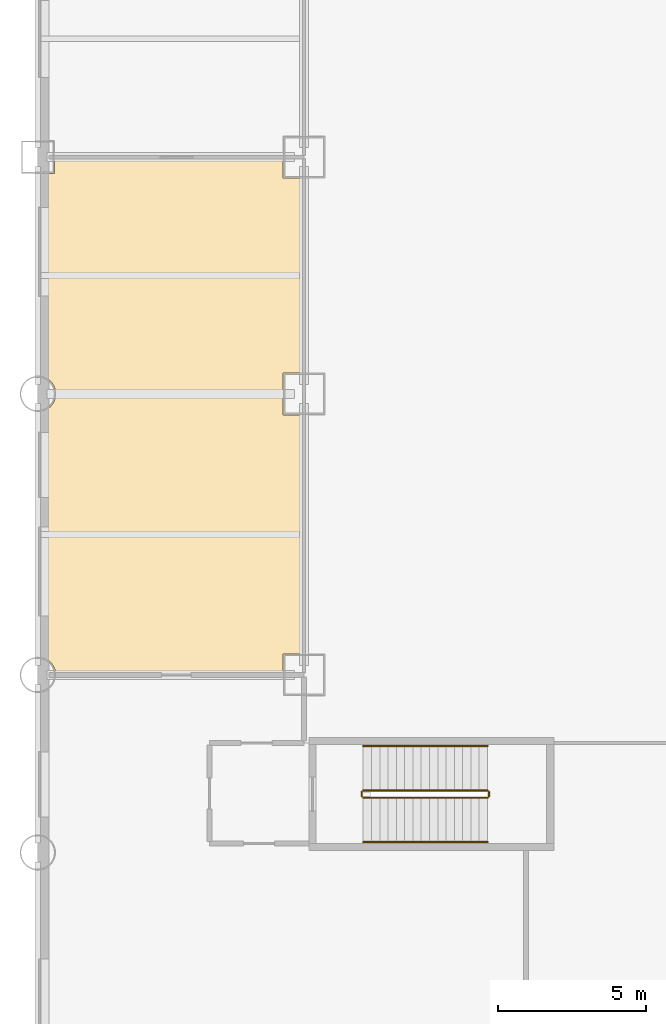
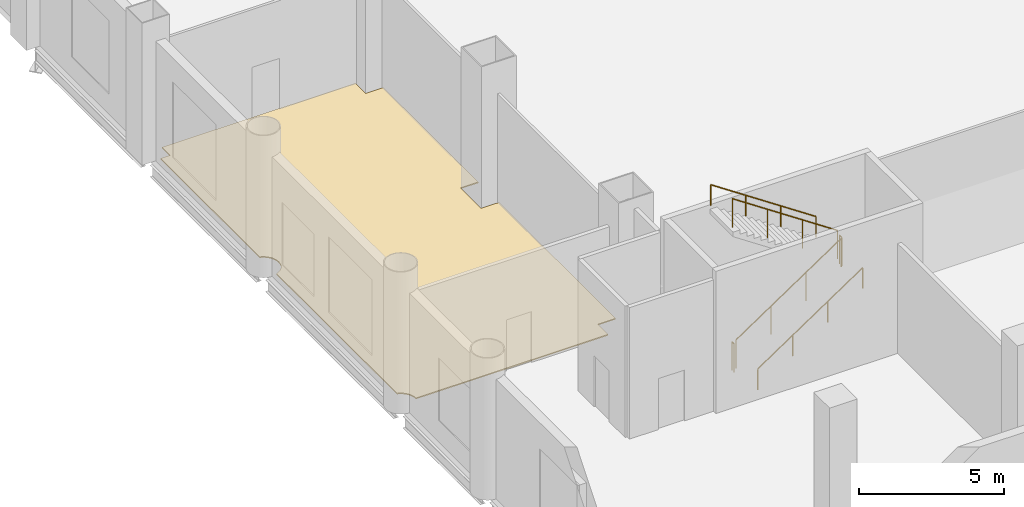
# One storey, part 8 of 11: 6 railings, 1 covering.
"""IFC4 building model written with IfcOpenShell, lengths in metres."""

from ifc_helpers import new_model, si_unit, direction, frame, origin, origin_2d, place, context, subcontext, project, spatial, polyline, circle, outline, extrude, material, layer, layer_set, type_object, element, save


model = new_model("IFC4")

# Units and contexts
model_context = context("Model", 3, precision=1e-05, world=origin(), true_north=direction((0.0, 1.0)))
body_context = subcontext(model_context, "Body", "Model", "MODEL_VIEW")
ifc_project = project(units=[si_unit("LENGTHUNIT", "METRE"), si_unit("AREAUNIT", "SQUARE_METRE"), si_unit("VOLUMEUNIT", "CUBIC_METRE"), si_unit("PLANEANGLEUNIT", "RADIAN"), si_unit("MASSUNIT", "GRAM", prefix="KILO")], contexts=[model_context])

# Site, building, storey
site_placement = place(None, origin())
site = spatial("IfcSite", under=ifc_project, at=site_placement, CompositionType="ELEMENT")
building_placement = place(site_placement, origin())
building = spatial("IfcBuilding", under=site, at=building_placement, Name="Qianrong Seaharbour Tower", CompositionType="ELEMENT")
storey_placement = place(building_placement, frame((0.0, 0.0, 11.39990234375)))
storey = spatial("IfcBuildingStorey", under=building, at=storey_placement, Name="L03", CompositionType="ELEMENT", Elevation=11.39990234375)

# Covering
ifc_material_1 = material(Name="Calcium-sulphate raised access floor tile")
ifc_layer = layer(ifc_material_1, 0.044921875)
ifc_layer_set = layer_set([ifc_layer], Name="Calcium-sulphate raised access floor tile")
covering_type = type_object("IfcCoveringType", Name="COV-FLOOR-RAISED-45", PredefinedType="FLOORING", material=ifc_layer_set)
covering_placement = place(storey_placement, origin())
element("IfcCovering", 1, at=covering_placement, inside=storey, type_object=covering_type, Name="L03 Audio Visual Control Room Finish Flooring", PredefinedType="FLOORING", context=body_context, shape_type="SweptSolid", body=[
    extrude(outline(polyline([(0.610107421875, 18.5), (0.598388671875, 18.618896484375), (0.563720703125, 18.7333984375), (0.507080078125, 18.8388671875), (0.431396484375, 18.931396484375), (0.3388671875, 19.007080078125), (0.2333984375, 19.063720703125), (0.18505859375, 19.078369140625), (0.18505859375, 27.421630859375), (0.2333984375, 27.436279296875), (0.3388671875, 27.492919921875), (0.431396484375, 27.568603515625), (0.507080078125, 27.6611328125), (0.563720703125, 27.7666015625), (0.598388671875, 27.881103515625), (0.610107421875, 28.0), (0.598388671875, 28.118896484375), (0.563720703125, 28.2333984375), (0.507080078125, 28.3388671875), (0.431396484375, 28.431396484375), (0.3388671875, 28.507080078125), (0.2333984375, 28.563720703125), (0.18505859375, 28.578369140625), (0.18505859375, 35.43994140625), (0.56005859375, 35.43994140625), (0.56005859375, 36.0), (8.2900390625, 36.0), (8.2900390625, 35.2900390625), (9.0, 35.2900390625), (9.0, 28.7099609375), (8.2900390625, 28.7099609375), (8.2900390625, 27.2900390625), (9.0, 27.2900390625), (9.0, 19.2099609375), (8.2900390625, 19.2099609375), (8.2900390625, 18.5), (0.610107421875, 18.5)])), origin(), (0.0, 0.0, 1.0), 0.045166015625),
])

# Railings
ifc_material_2 = material(Name="Galvanized painted steel SN400B stair guard", Category="steel")
railing_type_1 = type_object("IfcRailingType", Name="RAIL-STAIR-GUARD-1220", PredefinedType="GUARDRAIL", material=ifc_material_2)
railing_1_placement = place(storey_placement, frame((11.0, 14.35009765625, 0.1875)))
element("IfcRailing", 2, at=railing_1_placement, inside=storey, type_object=railing_type_1, Name="L03 PST-3 stair guard 1", PredefinedType="GUARDRAIL", context=body_context, shape_type="SweptSolid", body=[
    extrude(circle(Radius=0.02392578125, at=origin_2d()), frame((0.0, 0.0, 1.19580078125), z_axis=(0.830904186295, 0.0, 0.556415522067), x_axis=(0.0, 1.0, 0.0)), (0.0, 0.0, 1.0), 5.0546875),
    extrude(circle(Radius=0.02099609375, at=origin_2d()), origin(), (0.0, 0.0, 1.0), 1.171875),
    extrude(circle(Radius=0.02099609375, at=origin_2d()), frame((1.39990234375, 0.0, 0.9375)), (0.0, 0.0, 1.0), 1.171875),
    extrude(circle(Radius=0.02099609375, at=origin_2d()), frame((2.800048828125, 0.0, 1.875)), (0.0, 0.0, 1.0), 1.171875),
    extrude(circle(Radius=0.02099609375, at=origin_2d()), frame((4.199951171875, 0.0, 2.8125)), (0.0, 0.0, 1.0), 1.171875),
])
railing_2_placement = place(storey_placement, frame((15.25, 14.39990234375, 3.0)))
element("IfcRailing", 3, at=railing_2_placement, inside=storey, type_object=railing_type_1, Name="L03 PST-3 stair guard 2", PredefinedType="GUARDRAIL", context=body_context, shape_type="SweptSolid", body=[
    extrude(circle(Radius=0.02392578125, at=origin_2d()), frame((0.0, 0.0, 1.19580078125), z_axis=(0.0, 1.0, 0.0), x_axis=(-1.0, 0.0, 0.0)), (0.0, 0.0, 1.0), 0.150146484375),
    extrude(circle(Radius=0.02099609375, at=origin_2d()), origin(), (0.0, 0.0, 1.0), 1.171875),
    extrude(circle(Radius=0.02099609375, at=origin_2d()), frame((0.0, 0.150146484375, 0.0)), (0.0, 0.0, 1.0), 1.171875),
])
railing_3_placement = place(storey_placement, frame((15.199951171875, 14.60009765625, 3.1875)))
element("IfcRailing", 4, at=railing_3_placement, inside=storey, type_object=railing_type_1, Name="L03 PST-3 stair guard 3", PredefinedType="GUARDRAIL", context=body_context, shape_type="SweptSolid", body=[
    extrude(circle(Radius=0.02392578125, at=origin_2d()), frame((0.0, 0.0, 1.19580078125), z_axis=(-0.830904186295, 0.0, 0.556415522067), x_axis=(0.0, -1.0, 0.0)), (0.0, 0.0, 1.0), 5.0546875),
    extrude(circle(Radius=0.02099609375, at=origin_2d()), origin(), (0.0, 0.0, 1.0), 1.171875),
    extrude(circle(Radius=0.02099609375, at=origin_2d()), frame((-1.39990234375, 0.0, 0.9375)), (0.0, 0.0, 1.0), 1.171875),
    extrude(circle(Radius=0.02099609375, at=origin_2d()), frame((-2.800048828125, 0.0, 1.875)), (0.0, 0.0, 1.0), 1.171875),
    extrude(circle(Radius=0.02099609375, at=origin_2d()), frame((-4.199951171875, 0.0, 2.8125)), (0.0, 0.0, 1.0), 1.171875),
])
railing_4_placement = place(storey_placement, frame((10.949951171875, 14.39990234375, 0.0)))
element("IfcRailing", 5, at=railing_4_placement, inside=storey, type_object=railing_type_1, Name="L03 PST-3 stair guard 4", PredefinedType="GUARDRAIL", context=body_context, shape_type="SweptSolid", body=[
    extrude(circle(Radius=0.02392578125, at=origin_2d()), frame((0.0, 0.0, 1.19580078125), z_axis=(0.0, 1.0, 0.0), x_axis=(-1.0, 0.0, 0.0)), (0.0, 0.0, 1.0), 0.150146484375),
    extrude(circle(Radius=0.02099609375, at=origin_2d()), origin(), (0.0, 0.0, 1.0), 1.171875),
    extrude(circle(Radius=0.02099609375, at=origin_2d()), frame((0.0, 0.150146484375, 0.0)), (0.0, 0.0, 1.0), 1.171875),
])
ifc_material_3 = material(Name="Stainless steel SUS316L continuous handrail", Category="steel")
railing_type_2 = type_object("IfcRailingType", Name="RAIL-STAIR-HANDRAIL-900", PredefinedType="HANDRAIL", material=ifc_material_3)
railing_5_placement = place(storey_placement, frame((11.0, 12.85009765625, 0.1875)))
element("IfcRailing", 6, at=railing_5_placement, inside=storey, type_object=railing_type_2, Name="L03 PST-3 stair handrail 1", PredefinedType="HANDRAIL", context=body_context, shape_type="SweptSolid", body=[
    extrude(circle(Radius=0.02392578125, at=origin_2d()), frame((0.0, 0.0, 0.8759765625), z_axis=(0.830904186295, 0.0, 0.556415522067), x_axis=(0.0, 1.0, 0.0)), (0.0, 0.0, 1.0), 5.0546875),
    extrude(circle(Radius=0.02099609375, at=origin_2d()), origin(), (0.0, 0.0, 1.0), 0.851806640625),
    extrude(circle(Radius=0.02099609375, at=origin_2d()), frame((1.39990234375, 0.0, 0.9375)), (0.0, 0.0, 1.0), 0.851806640625),
    extrude(circle(Radius=0.02099609375, at=origin_2d()), frame((2.800048828125, 0.0, 1.875)), (0.0, 0.0, 1.0), 0.851806640625),
    extrude(circle(Radius=0.02099609375, at=origin_2d()), frame((4.199951171875, 0.0, 2.8125)), (0.0, 0.0, 1.0), 0.851806640625),
])
railing_6_placement = place(storey_placement, frame((15.199951171875, 16.10009765625, 3.1875)))
element("IfcRailing", 7, at=railing_6_placement, inside=storey, type_object=railing_type_2, Name="L03 PST-3 stair handrail 2", PredefinedType="HANDRAIL", context=body_context, shape_type="SweptSolid", body=[
    extrude(circle(Radius=0.02392578125, at=origin_2d()), frame((0.0, 0.0, 0.8759765625), z_axis=(-0.830904186295, 0.0, 0.556415522067), x_axis=(0.0, -1.0, 0.0)), (0.0, 0.0, 1.0), 5.0546875),
    extrude(circle(Radius=0.02099609375, at=origin_2d()), origin(), (0.0, 0.0, 1.0), 0.851806640625),
    extrude(circle(Radius=0.02099609375, at=origin_2d()), frame((-1.39990234375, 0.0, 0.9375)), (0.0, 0.0, 1.0), 0.851806640625),
    extrude(circle(Radius=0.02099609375, at=origin_2d()), frame((-2.800048828125, 0.0, 1.875)), (0.0, 0.0, 1.0), 0.851806640625),
    extrude(circle(Radius=0.02099609375, at=origin_2d()), frame((-4.199951171875, 0.0, 2.8125)), (0.0, 0.0, 1.0), 0.851806640625),
])

save(model, "model.ifc")
